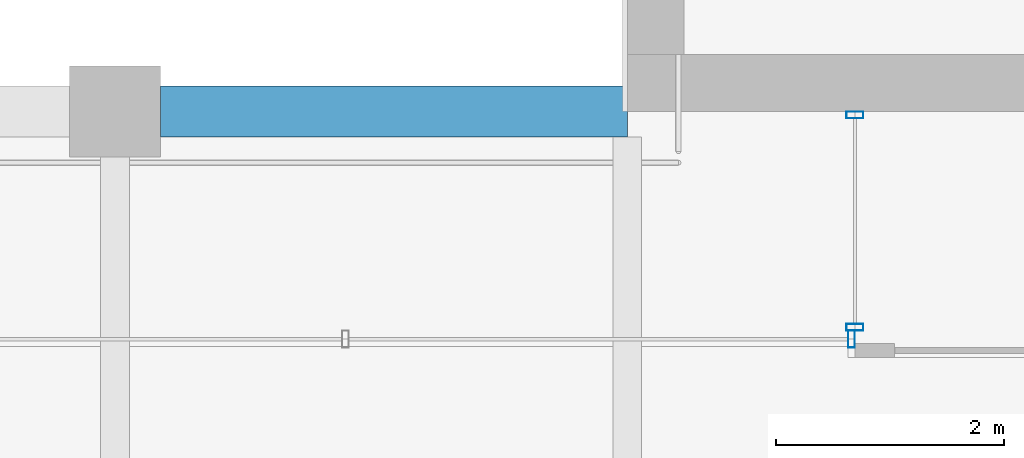
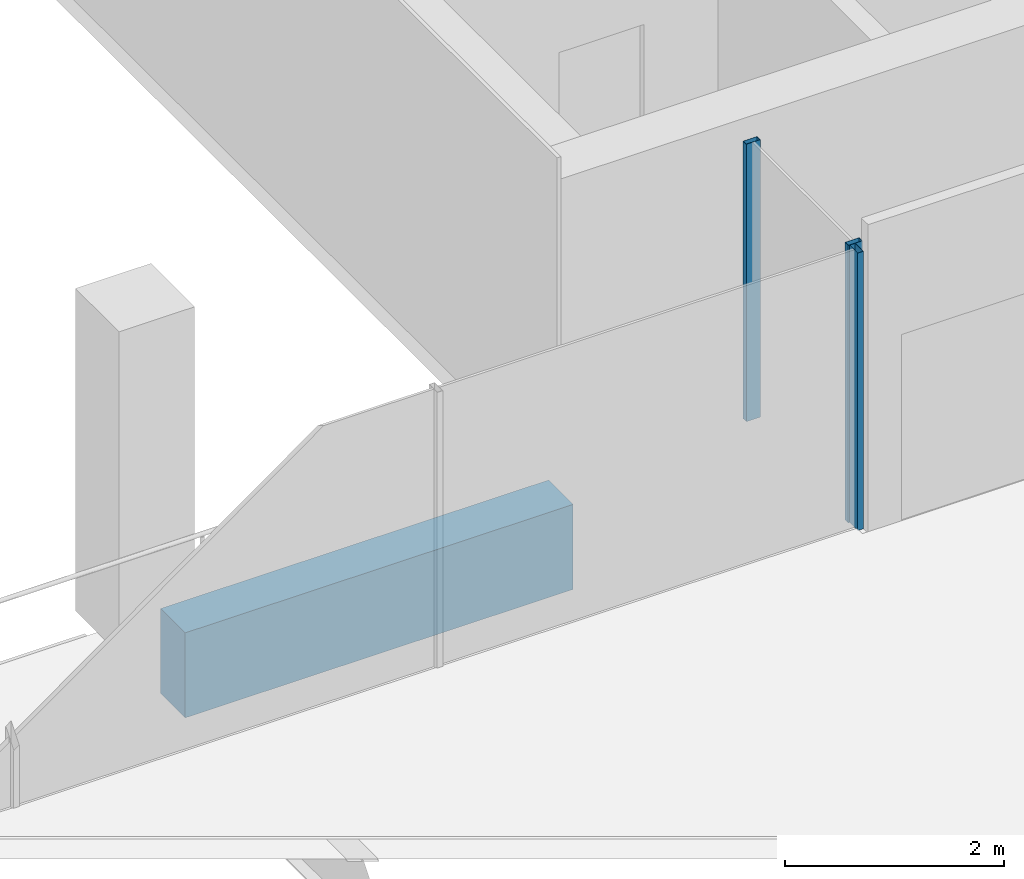
# One storey, part 6 of 30: 3 members, 1 beam, 2 elements without a shape of their own.
"""IFC4 building model written with IfcOpenShell, lengths in metres."""

from ifc_helpers import new_model, si_unit, direction, frame, origin, origin_2d, place, context, subcontext, project, spatial, rectangle, hollow_rectangle, extrude, material, material_profile, profile_set, type_object, element, aggregate, save


model = new_model("IFC4")

# Units and contexts
model_context = context("Model", 3, precision=1e-05, world=origin(), true_north=direction((0.0, 1.0)))
body_context = subcontext(model_context, "Body", "Model", "MODEL_VIEW")
ifc_project = project(units=[si_unit("LENGTHUNIT", "METRE"), si_unit("AREAUNIT", "SQUARE_METRE"), si_unit("VOLUMEUNIT", "CUBIC_METRE"), si_unit("PLANEANGLEUNIT", "RADIAN"), si_unit("MASSUNIT", "GRAM", prefix="KILO")], contexts=[model_context])

# Site, building, storey
site_placement = place(None, origin())
site = spatial("IfcSite", under=ifc_project, at=site_placement, CompositionType="ELEMENT")
building_placement = place(site_placement, origin())
building = spatial("IfcBuilding", under=site, at=building_placement, Name="Altepetl Exchange Towers", CompositionType="ELEMENT")
storey_placement = place(building_placement, frame((0.0, 0.0, 224.39990234375)))
storey = spatial("IfcBuildingStorey", under=building, at=storey_placement, Name="L57", CompositionType="ELEMENT", Elevation=224.39990234375)

# Curtain wall, members
ifc_material_1 = material(Name="Aluminium 6063-T6 glazing", Category="aluminium")
curtain_wall_type = type_object("IfcCurtainWallType", Name="Loggia glazing system", PredefinedType="NOTDEFINED", material=ifc_material_1)
curtain_wall_1_placement = place(storey_placement, origin())
curtain_wall_1 = element("IfcCurtainWall", 1, at=curtain_wall_1_placement, inside=storey, type_object=curtain_wall_type, Name="CW1 run", PredefinedType="NOTDEFINED")
ifc_material_2 = material(Name="Aluminium 6063-T6", Category="aluminium")
ifc_material_profile_1 = material_profile(ifc_material_2, hollow_rectangle(XDim=0.06005859375, YDim=0.14990234375, WallThickness=0.0029296875, at=origin_2d()), Name="Mullion 60x150 aluminium")
ifc_profile_set_1 = profile_set([ifc_material_profile_1], Name="Aluminium 6063-T6")
member_type = type_object("IfcMemberType", Name="Mullion 60x150 aluminium", PredefinedType="MULLION", material=ifc_profile_set_1)
member_1_placement = place(storey_placement, frame((42.5, 40.469970703125, 0.0), z_axis=(0.0, 0.0, 1.0), x_axis=(0.0, -1.0, 0.0)))
member_1 = element("IfcMember", 2, at=member_1_placement, type_object=member_type, Name="MU1 mullion", PredefinedType="MULLION", context=body_context, shape_type="SweptSolid", body=[
    extrude(hollow_rectangle(XDim=0.06005859375, YDim=0.14990234375, WallThickness=0.0029296875, at=origin_2d()), origin(), (0.0, 0.0, 1.0), 3.10009765625),
])
member_2_placement = place(storey_placement, frame((42.5, 38.60498046875, 0.0), z_axis=(0.0, 0.0, 1.0), x_axis=(0.0, -1.0, 0.0)))
member_2 = element("IfcMember", 3, at=member_2_placement, type_object=member_type, Name="MU1 mullion", PredefinedType="MULLION", context=body_context, shape_type="SweptSolid", body=[
    extrude(hollow_rectangle(XDim=0.06005859375, YDim=0.14990234375, WallThickness=0.0029296875, at=origin_2d()), origin(), (0.0, 0.0, 1.0), 3.10009765625),
])
aggregate(curtain_wall_1, [member_1, member_2])

# Curtain wall, member
curtain_wall_2_placement = place(storey_placement, origin())
curtain_wall_2 = element("IfcCurtainWall", 4, at=curtain_wall_2_placement, inside=storey, type_object=curtain_wall_type, Name="CW1 run", PredefinedType="NOTDEFINED")
member_3_placement = place(storey_placement, frame((42.469970703125, 38.5, 0.0), z_axis=(0.0, 0.0, 1.0), x_axis=(-1.0, 0.0, 0.0)))
member_3 = element("IfcMember", 5, at=member_3_placement, type_object=member_type, Name="MU1 mullion", PredefinedType="MULLION", context=body_context, shape_type="SweptSolid", body=[
    extrude(hollow_rectangle(XDim=0.06005859375, YDim=0.14990234375, WallThickness=0.0029296875, at=origin_2d()), origin(), (0.0, 0.0, 1.0), 3.10009765625),
])
aggregate(curtain_wall_2, [member_3])

# Beam
ifc_material_3 = material(Name="Concrete C50/60 precast with tezontle facing", Category="concrete")
ifc_material_profile_2 = material_profile(ifc_material_3, rectangle(XDim=0.449951171875, YDim=0.949951171875, at=origin_2d()), Name="450 x 950")
ifc_profile_set_2 = profile_set([ifc_material_profile_2], Name="Concrete C50/60 precast with tezontle facing")
beam_type = type_object("IfcBeamType", Name="Spandrel beam 450x950 tezontle", PredefinedType="SPANDREL", material=ifc_profile_set_2)
beam_placement = place(storey_placement, frame((40.5, 40.5, -0.625), z_axis=(-1.0, 0.0, 0.0), x_axis=(0.0, -1.0, 0.0)))
element("IfcBeam", 6, at=beam_placement, inside=storey, type_object=beam_type, Name="sp:A:L57:033", PredefinedType="SPANDREL", context=body_context, shape_type="SweptSolid", body=[
    extrude(rectangle(XDim=0.449951171875, YDim=0.949951171875, at=origin_2d()), origin(), (0.0, 0.0, 1.0), 4.10009765625),
])

save(model, "model.ifc")
